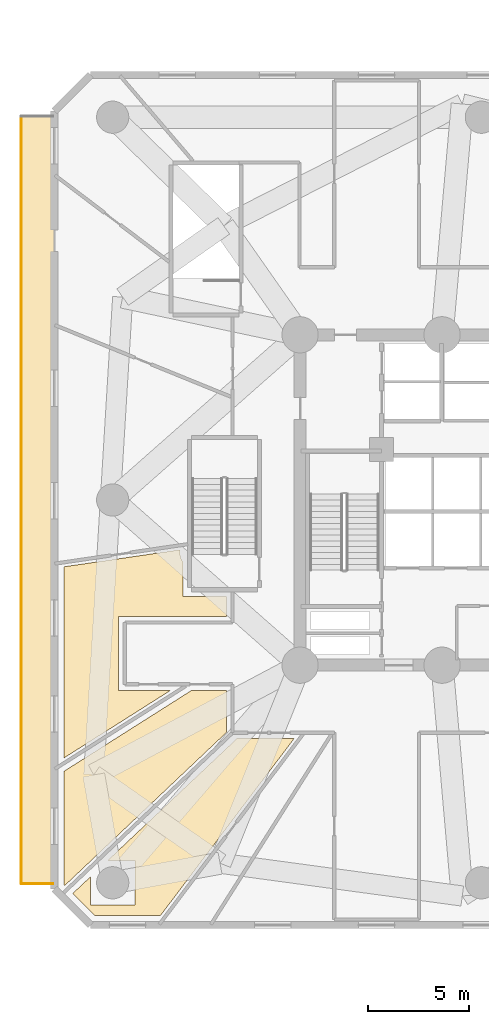
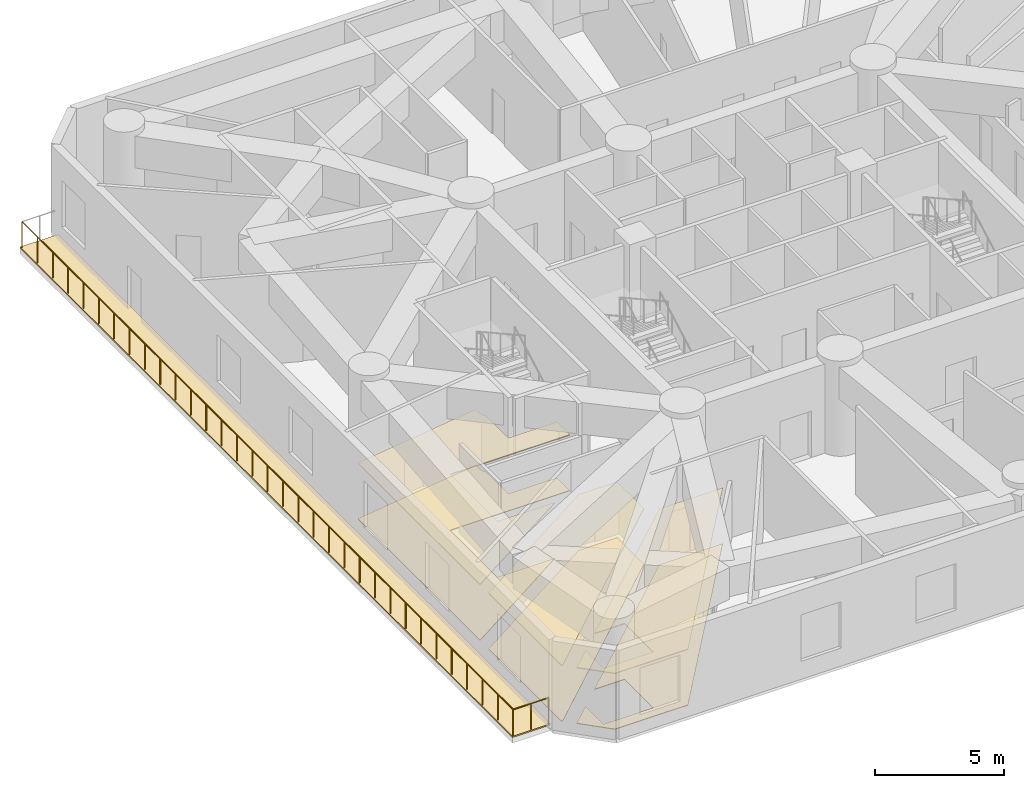
# One storey, part 20 of 22: 7 coverings, 2 railings.
"""IFC4 building model written with IfcOpenShell, lengths in metres."""

from ifc_helpers import new_model, si_unit, direction, frame, origin, origin_2d, place, context, subcontext, project, spatial, polyline, circle, outline, extrude, material, layer, layer_set, type_object, element, save


model = new_model("IFC4")

# Units and contexts
model_context = context("Model", 3, precision=1e-05, world=origin(), true_north=direction((0.0, 1.0)))
body_context = subcontext(model_context, "Body", "Model", "MODEL_VIEW")
ifc_project = project(units=[si_unit("LENGTHUNIT", "METRE"), si_unit("AREAUNIT", "SQUARE_METRE"), si_unit("VOLUMEUNIT", "CUBIC_METRE"), si_unit("PLANEANGLEUNIT", "RADIAN"), si_unit("MASSUNIT", "GRAM", prefix="KILO")], contexts=[model_context])

# Site, building, storey
site_placement = place(None, origin())
site = spatial("IfcSite", under=ifc_project, at=site_placement, CompositionType="ELEMENT")
building_placement = place(site_placement, origin())
building = spatial("IfcBuilding", under=site, at=building_placement, Name="Karkom Vertical University and Central Library", CompositionType="ELEMENT")
storey_placement = place(building_placement, frame((0.0, 0.0, 18.0)))
storey = spatial("IfcBuildingStorey", under=building, at=storey_placement, Name="L04", CompositionType="ELEMENT", Elevation=18.0)

# Covering
ifc_material_1 = material(Name="EPDM membrane with Kota stone ballast roofing", Category="masonry")
ifc_layer_1 = layer(ifc_material_1, 0.080078125)
ifc_layer_set_1 = layer_set([ifc_layer_1], Name="EPDM membrane with Kota stone ballast roofing")
covering_type_1 = type_object("IfcCoveringType", Name="ENV-COV-ROOF", PredefinedType="ROOFING", material=ifc_layer_set_1)
covering_1_placement = place(storey_placement, origin())
element("IfcCovering", 1, at=covering_1_placement, inside=storey, type_object=covering_type_1, Name="Level 04 POD Terrace Waterproofing Covering", PredefinedType="ROOFING", context=body_context, shape_type="SweptSolid", body=[
    extrude(outline(polyline([(5.60009765625, 7.39990234375), (7.300048828125, 7.39990234375), (7.300048828125, 45.60009765625), (5.60009765625, 45.60009765625), (5.60009765625, 7.39990234375)])), origin(), (0.0, 0.0, 1.0), 0.06005859375),
])

# Railings
ifc_material_2 = material(Name="Architectural painted steel & laminated glass balustrade", Category="steel")
ifc_layer_2 = layer(ifc_material_2, 0.090087890625)
ifc_layer_set_2 = layer_set([ifc_layer_2], Name="Architectural painted steel & laminated glass balustrade")
railing_type = type_object("IfcRailingType", Name="ENV-RL-BAL1300", PredefinedType="BALUSTRADE", material=ifc_layer_set_2)
railing_1_placement = place(storey_placement, frame((5.659912109375, 7.4599609375, 0.0)))
element("IfcRailing", 2, at=railing_1_placement, inside=storey, type_object=railing_type, Name="Level 04 Planted Terrace Safety Balustrade 01", PredefinedType="BALUSTRADE", context=body_context, shape_type="SweptSolid", body=[
    extrude(circle(Radius=0.02392578125, at=origin_2d()), frame((0.0, 0.0, 1.27587890625), z_axis=(0.0, 1.0, 0.0), x_axis=(-1.0, 0.0, 0.0)), (0.0, 0.0, 1.0), 38.080078125),
    extrude(circle(Radius=0.02099609375, at=origin_2d()), origin(), (0.0, 0.0, 1.0), 1.251953125),
    extrude(circle(Radius=0.02099609375, at=origin_2d()), frame((0.0, 1.18994140625, 0.0)), (0.0, 0.0, 1.0), 1.251953125),
    extrude(circle(Radius=0.02099609375, at=origin_2d()), frame((0.0, 2.3798828125, 0.0)), (0.0, 0.0, 1.0), 1.251953125),
    extrude(circle(Radius=0.02099609375, at=origin_2d()), frame((0.0, 3.570068359375, 0.0)), (0.0, 0.0, 1.0), 1.251953125),
    extrude(circle(Radius=0.02099609375, at=origin_2d()), frame((0.0, 4.760009765625, 0.0)), (0.0, 0.0, 1.0), 1.251953125),
    extrude(circle(Radius=0.02099609375, at=origin_2d()), frame((0.0, 5.949951171875, 0.0)), (0.0, 0.0, 1.0), 1.251953125),
    extrude(circle(Radius=0.02099609375, at=origin_2d()), frame((0.0, 7.14013671875, 0.0)), (0.0, 0.0, 1.0), 1.251953125),
    extrude(circle(Radius=0.02099609375, at=origin_2d()), frame((0.0, 8.330078125, 0.0)), (0.0, 0.0, 1.0), 1.251953125),
    extrude(circle(Radius=0.02099609375, at=origin_2d()), frame((0.0, 9.52001953125, 0.0)), (0.0, 0.0, 1.0), 1.251953125),
    extrude(circle(Radius=0.02099609375, at=origin_2d()), frame((0.0, 10.7099609375, 0.0)), (0.0, 0.0, 1.0), 1.251953125),
    extrude(circle(Radius=0.02099609375, at=origin_2d()), frame((0.0, 11.89990234375, 0.0)), (0.0, 0.0, 1.0), 1.251953125),
    extrude(circle(Radius=0.02099609375, at=origin_2d()), frame((0.0, 13.090087890625, 0.0)), (0.0, 0.0, 1.0), 1.251953125),
    extrude(circle(Radius=0.02099609375, at=origin_2d()), frame((0.0, 14.280029296875, 0.0)), (0.0, 0.0, 1.0), 1.251953125),
    extrude(circle(Radius=0.02099609375, at=origin_2d()), frame((0.0, 15.469970703125, 0.0)), (0.0, 0.0, 1.0), 1.251953125),
    extrude(circle(Radius=0.02099609375, at=origin_2d()), frame((0.0, 16.66015625, 0.0)), (0.0, 0.0, 1.0), 1.251953125),
    extrude(circle(Radius=0.02099609375, at=origin_2d()), frame((0.0, 17.85009765625, 0.0)), (0.0, 0.0, 1.0), 1.251953125),
    extrude(circle(Radius=0.02099609375, at=origin_2d()), frame((0.0, 19.0400390625, 0.0)), (0.0, 0.0, 1.0), 1.251953125),
    extrude(circle(Radius=0.02099609375, at=origin_2d()), frame((0.0, 20.22998046875, 0.0)), (0.0, 0.0, 1.0), 1.251953125),
    extrude(circle(Radius=0.02099609375, at=origin_2d()), frame((0.0, 21.419921875, 0.0)), (0.0, 0.0, 1.0), 1.251953125),
    extrude(circle(Radius=0.02099609375, at=origin_2d()), frame((0.0, 22.610107421875, 0.0)), (0.0, 0.0, 1.0), 1.251953125),
    extrude(circle(Radius=0.02099609375, at=origin_2d()), frame((0.0, 23.800048828125, 0.0)), (0.0, 0.0, 1.0), 1.251953125),
    extrude(circle(Radius=0.02099609375, at=origin_2d()), frame((0.0, 24.989990234375, 0.0)), (0.0, 0.0, 1.0), 1.251953125),
    extrude(circle(Radius=0.02099609375, at=origin_2d()), frame((0.0, 26.18017578125, 0.0)), (0.0, 0.0, 1.0), 1.251953125),
    extrude(circle(Radius=0.02099609375, at=origin_2d()), frame((0.0, 27.3701171875, 0.0)), (0.0, 0.0, 1.0), 1.251953125),
    extrude(circle(Radius=0.02099609375, at=origin_2d()), frame((0.0, 28.56005859375, 0.0)), (0.0, 0.0, 1.0), 1.251953125),
    extrude(circle(Radius=0.02099609375, at=origin_2d()), frame((0.0, 29.75, 0.0)), (0.0, 0.0, 1.0), 1.251953125),
    extrude(circle(Radius=0.02099609375, at=origin_2d()), frame((0.0, 30.93994140625, 0.0)), (0.0, 0.0, 1.0), 1.251953125),
    extrude(circle(Radius=0.02099609375, at=origin_2d()), frame((0.0, 32.130126953125, 0.0)), (0.0, 0.0, 1.0), 1.251953125),
    extrude(circle(Radius=0.02099609375, at=origin_2d()), frame((0.0, 33.320068359375, 0.0)), (0.0, 0.0, 1.0), 1.251953125),
    extrude(circle(Radius=0.02099609375, at=origin_2d()), frame((0.0, 34.510009765625, 0.0)), (0.0, 0.0, 1.0), 1.251953125),
    extrude(circle(Radius=0.02099609375, at=origin_2d()), frame((0.0, 35.7001953125, 0.0)), (0.0, 0.0, 1.0), 1.251953125),
    extrude(circle(Radius=0.02099609375, at=origin_2d()), frame((0.0, 36.89013671875, 0.0)), (0.0, 0.0, 1.0), 1.251953125),
    extrude(circle(Radius=0.02099609375, at=origin_2d()), frame((0.0, 38.080078125, 0.0)), (0.0, 0.0, 1.0), 1.251953125),
])
railing_2_placement = place(storey_placement, frame((7.239990234375, 7.4599609375, 0.0)))
element("IfcRailing", 3, at=railing_2_placement, inside=storey, type_object=railing_type, Name="Level 04 Planted Terrace Safety Balustrade 03", PredefinedType="BALUSTRADE", context=body_context, shape_type="SweptSolid", body=[
    extrude(circle(Radius=0.02392578125, at=origin_2d()), frame((0.0, 0.0, 1.27587890625), z_axis=(-1.0, 0.0, 0.0), x_axis=(0.0, -1.0, 0.0)), (0.0, 0.0, 1.0), 1.580078125),
    extrude(circle(Radius=0.02099609375, at=origin_2d()), origin(), (0.0, 0.0, 1.0), 1.251953125),
    extrude(circle(Radius=0.02099609375, at=origin_2d()), frame((-0.7900390625, 0.0, 0.0)), (0.0, 0.0, 1.0), 1.251953125),
    extrude(circle(Radius=0.02099609375, at=origin_2d()), frame((-1.580078125, 0.0, 0.0)), (0.0, 0.0, 1.0), 1.251953125),
])

# Coverings
ifc_material_3 = material(Name="Perforated mineral-fibre & timber-slat acoustic ceiling", Category="wood")
ifc_layer_3 = layer(ifc_material_3, 0.044921875)
ifc_layer_set_3 = layer_set([ifc_layer_3], Name="Perforated mineral-fibre & timber-slat acoustic ceiling")
covering_type_2 = type_object("IfcCoveringType", Name="INT-COV-CEIL", PredefinedType="CEILING", material=ifc_layer_set_3)
covering_2_placement = place(storey_placement, frame((0.0, 0.0, 2.6298828125)))
element("IfcCovering", 4, at=covering_2_placement, inside=storey, type_object=covering_type_2, Name="Level 04 Suspended Acoustic Ceiling Level 04-PD01", PredefinedType="CEILING", context=body_context, shape_type="SweptSolid", body=[
    extrude(outline(polyline([(13.679931640625, 21.719970703125), (15.85009765625, 21.719970703125), (15.85009765625, 20.719970703125), (10.5, 20.719970703125), (10.5, 17.050048828125), (13.071533203125, 17.050048828125), (7.780029296875, 13.6953125), (7.780029296875, 23.18408203125), (13.550048828125, 24.02880859375), (13.550048828125, 23.794677734375), (13.552490234375, 23.744140625), (13.560791015625, 23.688720703125), (13.57421875, 23.634521484375), (13.593017578125, 23.581787109375), (13.6171875, 23.53125), (13.645751953125, 23.483154296875), (13.67919921875, 23.438232421875), (13.679931640625, 23.437255859375), (13.679931640625, 21.719970703125)])), origin(), (0.0, 0.0, 1.0), 0.045166015625),
])
covering_3_placement = place(storey_placement, frame((0.0, 0.0, 2.6298828125)))
element("IfcCovering", 5, at=covering_3_placement, inside=storey, type_object=covering_type_2, Name="Level 04 Suspended Acoustic Ceiling Level 04-PD02", PredefinedType="CEILING", context=body_context, shape_type="SweptSolid", body=[
    extrude(outline(polyline([(15.85009765625, 17.050048828125), (15.85009765625, 14.964599609375), (7.817626953125, 7.361083984375), (7.780029296875, 7.398681640625), (7.780029296875, 13.0322265625), (14.117431640625, 17.050048828125), (15.85009765625, 17.050048828125)])), origin(), (0.0, 0.0, 1.0), 0.045166015625),
])
covering_4_placement = place(storey_placement, frame((0.0, 0.0, 2.6298828125)))
element("IfcCovering", 6, at=covering_4_placement, inside=storey, type_object=covering_type_2, Name="Level 04 Suspended Acoustic Ceiling Level 04-PD03", PredefinedType="CEILING", context=body_context, shape_type="SweptSolid", body=[
    extrude(outline(polyline([(12.57568359375, 5.8798828125), (9.298828125, 5.8798828125), (8.214111328125, 6.96484375), (9.090087890625, 7.791748046875), (9.090087890625, 6.389892578125), (11.31005859375, 6.389892578125), (11.31005859375, 8.610107421875), (9.956787109375, 8.610107421875), (16.35498046875, 14.64990234375), (19.19921875, 14.64990234375), (12.57568359375, 5.8798828125)])), origin(), (0.0, 0.0, 1.0), 0.045166015625),
])
ifc_material_4 = material(Name="Honed Kota limestone & terrazzo flooring", Category="masonry")
ifc_layer_4 = layer(ifc_material_4, 0.030029296875)
ifc_layer_set_4 = layer_set([ifc_layer_4], Name="Honed Kota limestone & terrazzo flooring")
covering_type_3 = type_object("IfcCoveringType", Name="INT-COV-FLOOR", PredefinedType="FLOORING", material=ifc_layer_set_4)
covering_5_placement = place(storey_placement, origin())
element("IfcCovering", 7, at=covering_5_placement, inside=storey, type_object=covering_type_3, Name="Level 04 Kota Stone Floor Finish Level 04-PD01", PredefinedType="FLOORING", context=body_context, shape_type="SweptSolid", body=[
    extrude(outline(polyline([(13.679931640625, 21.719970703125), (15.85009765625, 21.719970703125), (15.85009765625, 20.719970703125), (10.5, 20.719970703125), (10.5, 17.050048828125), (13.071533203125, 17.050048828125), (7.780029296875, 13.6953125), (7.780029296875, 23.18408203125), (13.550048828125, 24.02880859375), (13.550048828125, 23.794677734375), (13.552490234375, 23.744140625), (13.560791015625, 23.688720703125), (13.57421875, 23.634521484375), (13.593017578125, 23.581787109375), (13.6171875, 23.53125), (13.645751953125, 23.483154296875), (13.67919921875, 23.438232421875), (13.679931640625, 23.437255859375), (13.679931640625, 21.719970703125)])), origin(), (0.0, 0.0, 1.0), 0.030029296875),
])
covering_6_placement = place(storey_placement, origin())
element("IfcCovering", 8, at=covering_6_placement, inside=storey, type_object=covering_type_3, Name="Level 04 Kota Stone Floor Finish Level 04-PD02", PredefinedType="FLOORING", context=body_context, shape_type="SweptSolid", body=[
    extrude(outline(polyline([(15.85009765625, 17.050048828125), (15.85009765625, 14.964599609375), (7.817626953125, 7.361083984375), (7.780029296875, 7.398681640625), (7.780029296875, 13.0322265625), (14.117431640625, 17.050048828125), (15.85009765625, 17.050048828125)])), origin(), (0.0, 0.0, 1.0), 0.030029296875),
])
covering_7_placement = place(storey_placement, origin())
element("IfcCovering", 9, at=covering_7_placement, inside=storey, type_object=covering_type_3, Name="Level 04 Kota Stone Floor Finish Level 04-PD03", PredefinedType="FLOORING", context=body_context, shape_type="SweptSolid", body=[
    extrude(outline(polyline([(12.57568359375, 5.8798828125), (9.298828125, 5.8798828125), (8.214111328125, 6.96484375), (9.090087890625, 7.791748046875), (9.090087890625, 6.389892578125), (11.31005859375, 6.389892578125), (11.31005859375, 8.610107421875), (9.956787109375, 8.610107421875), (16.35498046875, 14.64990234375), (19.19921875, 14.64990234375), (12.57568359375, 5.8798828125)])), origin(), (0.0, 0.0, 1.0), 0.030029296875),
])

save(model, "model.ifc")
